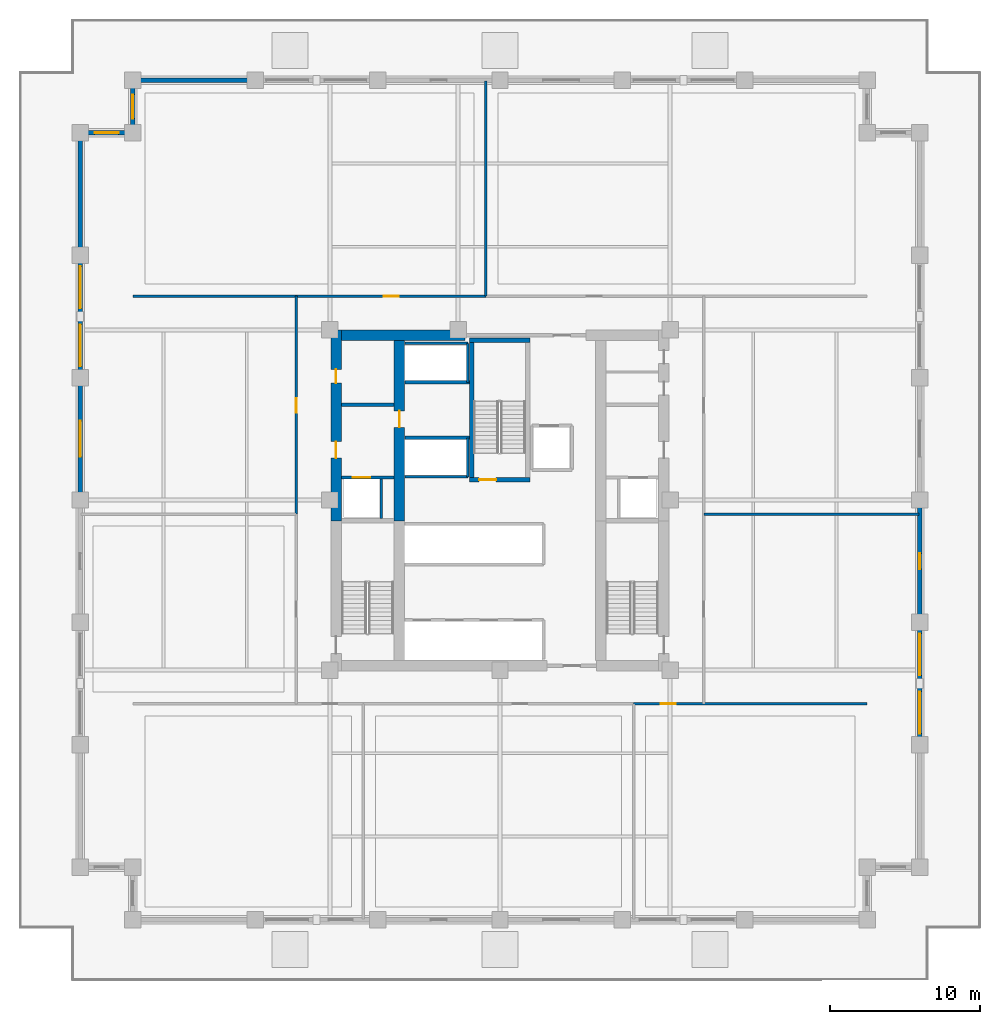
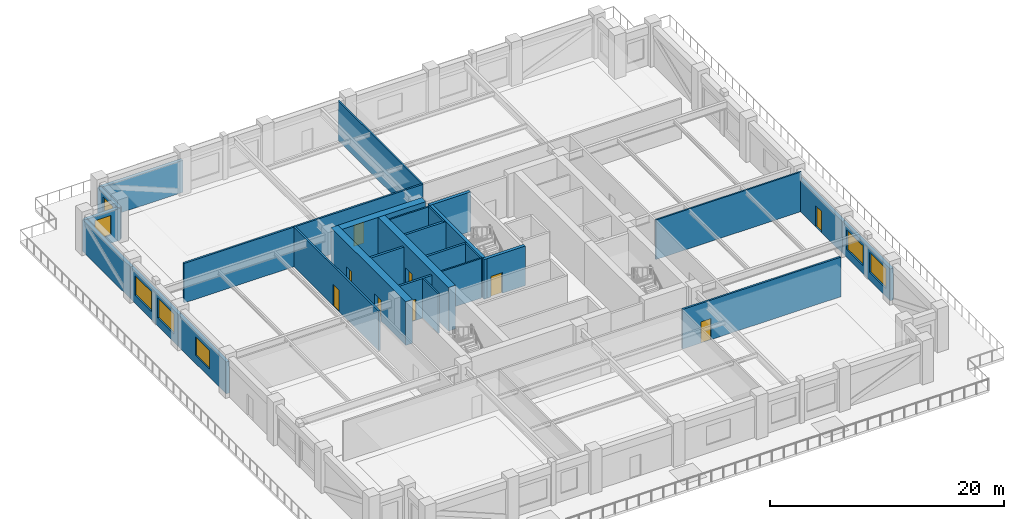
# One storey, part 4 of 13: 28 walls, 9 doors, 7 windows, 16 openings.
"""IFC4 building model written with IfcOpenShell, lengths in metres."""

from ifc_helpers import new_model, si_unit, direction, frame, frame_2d, origin, place, context, subcontext, project, spatial, rectangle, extrude, material, layer, layer_set, type_object, element, fill, save


model = new_model("IFC4")

# Units and contexts
model_context = context("Model", 3, precision=1e-05, world=origin(), true_north=direction((0.0, 1.0)))
body_context = subcontext(model_context, "Body", "Model", "MODEL_VIEW")
ifc_project = project(units=[si_unit("LENGTHUNIT", "METRE"), si_unit("AREAUNIT", "SQUARE_METRE"), si_unit("VOLUMEUNIT", "CUBIC_METRE"), si_unit("PLANEANGLEUNIT", "RADIAN"), si_unit("MASSUNIT", "GRAM", prefix="KILO")], contexts=[model_context])

# Site, building, storey
site_placement = place(None, origin())
site = spatial("IfcSite", under=ifc_project, at=site_placement, CompositionType="ELEMENT")
building_placement = place(site_placement, origin())
building = spatial("IfcBuilding", under=site, at=building_placement, Name="Nhamokura Convention Tower", CompositionType="ELEMENT")
storey_placement = place(building_placement, frame((0.0, 0.0, 34.300048828125)))
storey = spatial("IfcBuildingStorey", under=building, at=storey_placement, Name="L06", CompositionType="ELEMENT", Elevation=34.300048828125)

# Wall
ifc_material_1 = material(Name="Bronze-pigmented precast concrete C45/55", Category="concrete")
ifc_layer_1 = layer(ifc_material_1, 0.320068359375)
ifc_layer_set_1 = layer_set([ifc_layer_1], Name="BronzePrecastSpandrel_320")
wall_type_1 = type_object("IfcWallType", Name="BronzePrecastSpandrel_320", PredefinedType="USERDEFINED", material=ifc_layer_set_1)
wall_1_placement = place(storey_placement, frame((7.5, 60.0, 0.0), z_axis=(0.0, 0.0, 1.0), x_axis=(1.0, 0.0, 0.0)))
element("IfcWall", 1, at=wall_1_placement, inside=storey, type_object=wall_type_1, Name="L06 Braced-Bay Precast Wall NORTH 0", ObjectType="SPANDREL_WALL", PredefinedType="USERDEFINED", context=body_context, shape_type="SweptSolid", body=[
    extrude(rectangle(XDim=8.166748046875, YDim=0.320068359375, at=frame_2d((4.08349609375, 0.0))), origin(), (0.0, 0.0, 1.0), 3.329833984375),
])

# Wall, opening, window
wall_2_placement = place(storey_placement, frame((4.0, 32.0, 0.0), z_axis=(0.0, 0.0, 1.0), x_axis=(0.0, 1.0, 0.0)))
wall_2 = element("IfcWall", 2, at=wall_2_placement, inside=storey, type_object=wall_type_1, Name="L06 Masonry-Frame Wall WEST 3", ObjectType="SPANDREL_WALL", PredefinedType="USERDEFINED", context=body_context, shape_type="SweptSolid", body=[
    extrude(rectangle(XDim=8.166748046875, YDim=0.320068359375, at=frame_2d((4.08349609375, 0.0))), origin(), (0.0, 0.0, 1.0), 3.329833984375),
])
opening_1_placement = place(wall_2_placement, frame((2.88330078125, 0.0, 0.85009765625)))
opening_1 = element("IfcOpeningElement", 3, at=opening_1_placement, cuts=wall_2, Name="Opening W-03", PredefinedType="OPENING", context=body_context, shape_type="SweptSolid", body=[
    extrude(rectangle(XDim=2.39990234375, YDim=1.949951171875, at=frame_2d((1.199951171875, 0.97509765625))), frame((0.0, 0.169921875, 0.0), z_axis=(0.0, -1.0, 0.0), x_axis=(1.0, 0.0, 0.0)), (0.0, 0.0, 1.0), 0.340087890625),
])
ifc_material_2 = material(Name="Solar-control bronze low-E double glass", Category="glass")
window_type_1 = type_object("IfcWindowType", Name="HotelBayWindow_2400", PartitioningType="DOUBLE_PANEL_VERTICAL", PredefinedType="WINDOW", material=ifc_material_2)
window_1_placement = place(opening_1_placement, origin())
window_1 = element("IfcWindow", 4, at=window_1_placement, inside=storey, type_object=window_type_1, Name="L06 Facade Window WEST 3", OverallHeight=1.949951171875, OverallWidth=2.39990234375, PartitioningType="SINGLE_PANEL", PredefinedType="WINDOW", context=body_context, shape_type="SweptSolid", body=[
    extrude(rectangle(XDim=2.39990234375, YDim=1.949951171875, at=frame_2d((1.199951171875, 0.97509765625))), frame((0.0, 0.030029296875, 0.0), z_axis=(0.0, -1.0, 0.0), x_axis=(1.0, 0.0, 0.0)), (0.0, 0.0, 1.0), 0.06005859375),
])
fill(opening_1, window_1)

# Wall, openings, windows
wall_3_placement = place(storey_placement, frame((4.0, 40.166748046875, 0.0), z_axis=(0.0, 0.0, 1.0), x_axis=(0.0, 1.0, 0.0)))
wall_3 = element("IfcWall", 5, at=wall_3_placement, inside=storey, type_object=wall_type_1, Name="L06 Masonry-Frame Wall WEST 4", ObjectType="SPANDREL_WALL", PredefinedType="USERDEFINED", context=body_context, shape_type="SweptSolid", body=[
    extrude(rectangle(XDim=8.16650390625, YDim=0.320068359375, at=frame_2d((4.083251953125, 0.0))), origin(), (0.0, 0.0, 1.0), 3.329833984375),
])
opening_2_placement = place(wall_3_placement, frame((0.74169921875, 0.0, 0.85009765625)))
opening_2 = element("IfcOpeningElement", 6, at=opening_2_placement, cuts=wall_3, Name="Opening W-04", PredefinedType="OPENING", context=body_context, shape_type="SweptSolid", body=[
    extrude(rectangle(XDim=2.800048828125, YDim=2.050048828125, at=frame_2d((1.39990234375, 1.02490234375))), frame((0.0, 0.169921875, 0.0), z_axis=(0.0, -1.0, 0.0), x_axis=(1.0, 0.0, 0.0)), (0.0, 0.0, 1.0), 0.340087890625),
])
opening_3_placement = place(wall_3_placement, frame((4.625, 0.0, 0.85009765625)))
opening_3 = element("IfcOpeningElement", 7, at=opening_3_placement, cuts=wall_3, Name="Opening W-04", PredefinedType="OPENING", context=body_context, shape_type="SweptSolid", body=[
    extrude(rectangle(XDim=2.800048828125, YDim=2.050048828125, at=frame_2d((1.39990234375, 1.02490234375))), frame((0.0, 0.169921875, 0.0), z_axis=(0.0, -1.0, 0.0), x_axis=(1.0, 0.0, 0.0)), (0.0, 0.0, 1.0), 0.340087890625),
])
ifc_material_3 = material(Name="Solar-control bronze low-E double glass", Category="glass")
window_type_2 = type_object("IfcWindowType", Name="HotelSuiteWindow_2800", PartitioningType="DOUBLE_PANEL_VERTICAL", PredefinedType="WINDOW", material=ifc_material_3)
window_2_placement = place(opening_2_placement, origin())
window_2 = element("IfcWindow", 8, at=window_2_placement, inside=storey, type_object=window_type_2, Name="L06 Facade Window WEST 4-1", OverallHeight=2.050048828125, OverallWidth=2.800048828125, PartitioningType="SINGLE_PANEL", PredefinedType="WINDOW", context=body_context, shape_type="SweptSolid", body=[
    extrude(rectangle(XDim=2.800048828125, YDim=2.050048828125, at=frame_2d((1.39990234375, 1.02490234375))), frame((0.0, 0.030029296875, 0.0), z_axis=(0.0, -1.0, 0.0), x_axis=(1.0, 0.0, 0.0)), (0.0, 0.0, 1.0), 0.06005859375),
])
fill(opening_2, window_2)
window_3_placement = place(opening_3_placement, origin())
window_3 = element("IfcWindow", 9, at=window_3_placement, inside=storey, type_object=window_type_2, Name="L06 Facade Window WEST 4-2", OverallHeight=2.050048828125, OverallWidth=2.800048828125, PartitioningType="SINGLE_PANEL", PredefinedType="WINDOW", context=body_context, shape_type="SweptSolid", body=[
    extrude(rectangle(XDim=2.800048828125, YDim=2.050048828125, at=frame_2d((1.39990234375, 1.02490234375))), frame((0.0, 0.030029296875, 0.0), z_axis=(0.0, -1.0, 0.0), x_axis=(1.0, 0.0, 0.0)), (0.0, 0.0, 1.0), 0.06005859375),
])
fill(opening_3, window_3)

# Wall
wall_4_placement = place(storey_placement, frame((4.0, 48.333251953125, 0.0), z_axis=(0.0, 0.0, 1.0), x_axis=(0.0, 1.0, 0.0)))
element("IfcWall", 10, at=wall_4_placement, inside=storey, type_object=wall_type_1, Name="L06 Braced-Bay Precast Wall WEST 5", ObjectType="SPANDREL_WALL", PredefinedType="USERDEFINED", context=body_context, shape_type="SweptSolid", body=[
    extrude(rectangle(XDim=8.166748046875, YDim=0.320068359375, at=frame_2d((4.08349609375, 0.0))), origin(), (0.0, 0.0, 1.0), 3.329833984375),
])

# Wall, openings, windows
wall_5_placement = place(storey_placement, frame((60.0, 23.833251953125, 0.0), z_axis=(0.0, 0.0, 1.0), x_axis=(0.0, -1.0, 0.0)))
wall_5 = element("IfcWall", 11, at=wall_5_placement, inside=storey, type_object=wall_type_1, Name="L06 Masonry-Frame Wall EAST 1", ObjectType="SPANDREL_WALL", PredefinedType="USERDEFINED", context=body_context, shape_type="SweptSolid", body=[
    extrude(rectangle(XDim=8.16650390625, YDim=0.320068359375, at=frame_2d((4.083251953125, 0.0))), origin(), (0.0, 0.0, 1.0), 3.329833984375),
])
opening_4_placement = place(wall_5_placement, frame((0.74169921875, 0.0, 0.85009765625)))
opening_4 = element("IfcOpeningElement", 12, at=opening_4_placement, cuts=wall_5, Name="Opening W-04", PredefinedType="OPENING", context=body_context, shape_type="SweptSolid", body=[
    extrude(rectangle(XDim=2.800048828125, YDim=2.050048828125, at=frame_2d((1.39990234375, 1.02490234375))), frame((0.0, 0.169921875, 0.0), z_axis=(0.0, -1.0, 0.0), x_axis=(1.0, 0.0, 0.0)), (0.0, 0.0, 1.0), 0.340087890625),
])
opening_5_placement = place(wall_5_placement, frame((4.625, 0.0, 0.85009765625)))
opening_5 = element("IfcOpeningElement", 13, at=opening_5_placement, cuts=wall_5, Name="Opening W-04", PredefinedType="OPENING", context=body_context, shape_type="SweptSolid", body=[
    extrude(rectangle(XDim=2.800048828125, YDim=2.050048828125, at=frame_2d((1.39990234375, 1.02490234375))), frame((0.0, 0.169921875, 0.0), z_axis=(0.0, -1.0, 0.0), x_axis=(1.0, 0.0, 0.0)), (0.0, 0.0, 1.0), 0.340087890625),
])
window_4_placement = place(opening_4_placement, origin())
window_4 = element("IfcWindow", 14, at=window_4_placement, inside=storey, type_object=window_type_2, Name="L06 Facade Window EAST 1-1", OverallHeight=2.050048828125, OverallWidth=2.800048828125, PartitioningType="SINGLE_PANEL", PredefinedType="WINDOW", context=body_context, shape_type="SweptSolid", body=[
    extrude(rectangle(XDim=2.800048828125, YDim=2.050048828125, at=frame_2d((1.39990234375, 1.02490234375))), frame((0.0, 0.030029296875, 0.0), z_axis=(0.0, -1.0, 0.0), x_axis=(1.0, 0.0, 0.0)), (0.0, 0.0, 1.0), 0.06005859375),
])
fill(opening_4, window_4)
window_5_placement = place(opening_5_placement, origin())
window_5 = element("IfcWindow", 15, at=window_5_placement, inside=storey, type_object=window_type_2, Name="L06 Facade Window EAST 1-2", OverallHeight=2.050048828125, OverallWidth=2.800048828125, PartitioningType="SINGLE_PANEL", PredefinedType="WINDOW", context=body_context, shape_type="SweptSolid", body=[
    extrude(rectangle(XDim=2.800048828125, YDim=2.050048828125, at=frame_2d((1.39990234375, 1.02490234375))), frame((0.0, 0.030029296875, 0.0), z_axis=(0.0, -1.0, 0.0), x_axis=(1.0, 0.0, 0.0)), (0.0, 0.0, 1.0), 0.06005859375),
])
fill(opening_5, window_5)

# Wall, opening, door
wall_6_placement = place(storey_placement, frame((60.0, 32.0, 0.0), z_axis=(0.0, 0.0, 1.0), x_axis=(0.0, -1.0, 0.0)))
wall_6 = element("IfcWall", 16, at=wall_6_placement, inside=storey, type_object=wall_type_1, Name="L06 Masonry-Frame Wall EAST 2", ObjectType="SPANDREL_WALL", PredefinedType="USERDEFINED", context=body_context, shape_type="SweptSolid", body=[
    extrude(rectangle(XDim=8.166748046875, YDim=0.320068359375, at=frame_2d((4.08349609375, 0.0))), origin(), (0.0, 0.0, 1.0), 3.329833984375),
])
opening_6_placement = place(wall_6_placement, frame((3.558349609375, 0.0, 0.0)))
opening_6 = element("IfcOpeningElement", 17, at=opening_6_placement, cuts=wall_6, Name="Opening D-06", PredefinedType="OPENING", context=body_context, shape_type="SweptSolid", body=[
    extrude(rectangle(XDim=1.050048828125, YDim=2.199951171875, at=frame_2d((0.52490234375, 1.10009765625))), frame((0.0, 0.169921875, 0.0), z_axis=(0.0, -1.0, 0.0), x_axis=(1.0, 0.0, 0.0)), (0.0, 0.0, 1.0), 0.340087890625),
])
ifc_material_4 = material(Name="Anodised bronze aluminium AA6063-T6", Category="aluminium")
door_type_1 = type_object("IfcDoorType", Name="TerraceAccessDoor_1050", OperationType="NOTDEFINED", PredefinedType="DOOR", material=ifc_material_4)
door_1_placement = place(opening_6_placement, origin())
door_1 = element("IfcDoor", 18, at=door_1_placement, inside=storey, type_object=door_type_1, Name="L06 Setback Terrace Access Door EAST", OperationType="SINGLE_SWING_RIGHT", OverallHeight=2.199951171875, OverallWidth=1.050048828125, PredefinedType="DOOR", context=body_context, shape_type="SweptSolid", body=[
    extrude(rectangle(XDim=1.050048828125, YDim=2.199951171875, at=frame_2d((0.52490234375, 1.10009765625))), frame((0.0, 0.02490234375, 0.0), z_axis=(0.0, -1.0, 0.0), x_axis=(1.0, 0.0, 0.0)), (0.0, 0.0, 1.0), 0.050048828125),
])
fill(opening_6, door_1)

# Wall, opening, window
wall_7_placement = place(storey_placement, frame((7.5, 56.5, 0.0), z_axis=(0.0, 0.0, 1.0), x_axis=(0.0, 1.0, 0.0)))
wall_7 = element("IfcWall", 19, at=wall_7_placement, inside=storey, type_object=wall_type_1, Name="L06 Notched Corner Wall NW1", ObjectType="SPANDREL_WALL", PredefinedType="USERDEFINED", context=body_context, shape_type="SweptSolid", body=[
    extrude(rectangle(XDim=3.5, YDim=0.320068359375, at=frame_2d((1.75, 0.0))), origin(), (0.0, 0.0, 1.0), 3.329833984375),
])
opening_7_placement = place(wall_7_placement, frame((0.949951171875, 0.0, 0.85009765625)))
opening_7 = element("IfcOpeningElement", 20, at=opening_7_placement, cuts=wall_7, Name="Opening W-11", PredefinedType="OPENING", context=body_context, shape_type="SweptSolid", body=[
    extrude(rectangle(XDim=1.60009765625, YDim=2.050048828125, at=frame_2d((0.800048828125, 1.02490234375))), frame((0.0, 0.169921875, 0.0), z_axis=(0.0, -1.0, 0.0), x_axis=(1.0, 0.0, 0.0)), (0.0, 0.0, 1.0), 0.340087890625),
])
ifc_material_5 = material(Name="Solar-control bronze low-E double glass", Category="glass")
window_type_3 = type_object("IfcWindowType", Name="NotchCornerWindow_1600", PartitioningType="SINGLE_PANEL", PredefinedType="WINDOW", material=ifc_material_5)
window_6_placement = place(opening_7_placement, origin())
window_6 = element("IfcWindow", 21, at=window_6_placement, inside=storey, type_object=window_type_3, Name="L06 Notched Corner Window NW1", OverallHeight=2.050048828125, OverallWidth=1.60009765625, PartitioningType="SINGLE_PANEL", PredefinedType="WINDOW", context=body_context, shape_type="SweptSolid", body=[
    extrude(rectangle(XDim=1.60009765625, YDim=2.050048828125, at=frame_2d((0.800048828125, 1.02490234375))), frame((0.0, 0.030029296875, 0.0), z_axis=(0.0, -1.0, 0.0), x_axis=(1.0, 0.0, 0.0)), (0.0, 0.0, 1.0), 0.06005859375),
])
fill(opening_7, window_6)

wall_8_placement = place(storey_placement, frame((4.0, 56.5, 0.0), z_axis=(0.0, 0.0, 1.0), x_axis=(1.0, 0.0, 0.0)))
wall_8 = element("IfcWall", 22, at=wall_8_placement, inside=storey, type_object=wall_type_1, Name="L06 Notched Corner Wall NW2", ObjectType="SPANDREL_WALL", PredefinedType="USERDEFINED", context=body_context, shape_type="SweptSolid", body=[
    extrude(rectangle(XDim=3.5, YDim=0.320068359375, at=frame_2d((1.75, 0.0))), origin(), (0.0, 0.0, 1.0), 3.329833984375),
])
opening_8_placement = place(wall_8_placement, frame((0.949951171875, 0.0, 0.85009765625)))
opening_8 = element("IfcOpeningElement", 23, at=opening_8_placement, cuts=wall_8, Name="Opening W-11", PredefinedType="OPENING", context=body_context, shape_type="SweptSolid", body=[
    extrude(rectangle(XDim=1.60009765625, YDim=2.050048828125, at=frame_2d((0.800048828125, 1.02490234375))), frame((0.0, 0.169921875, 0.0), z_axis=(0.0, -1.0, 0.0), x_axis=(1.0, 0.0, 0.0)), (0.0, 0.0, 1.0), 0.340087890625),
])
window_7_placement = place(opening_8_placement, origin())
window_7 = element("IfcWindow", 24, at=window_7_placement, inside=storey, type_object=window_type_3, Name="L06 Notched Corner Window NW2", OverallHeight=2.050048828125, OverallWidth=1.60009765625, PartitioningType="SINGLE_PANEL", PredefinedType="WINDOW", context=body_context, shape_type="SweptSolid", body=[
    extrude(rectangle(XDim=1.60009765625, YDim=2.050048828125, at=frame_2d((0.800048828125, 1.02490234375))), frame((0.0, 0.030029296875, 0.0), z_axis=(0.0, -1.0, 0.0), x_axis=(1.0, 0.0, 0.0)), (0.0, 0.0, 1.0), 0.06005859375),
])
fill(opening_8, window_7)

# Wall, openings, doors
ifc_material_6 = material(Name="Concrete C70/85", Category="concrete")
ifc_layer_2 = layer(ifc_material_6, 0.699951171875)
ifc_layer_set_2 = layer_set([ifc_layer_2], Name="CoreShearWall_700")
wall_type_2 = type_object("IfcWallType", Name="CoreShearWall_700", PredefinedType="SHEAR", material=ifc_layer_set_2)
wall_9_placement = place(storey_placement, frame((21.06005859375, 30.60009765625, 0.0), z_axis=(0.0, 0.0, 1.0), x_axis=(0.0, 1.0, 0.0)))
wall_9 = element("IfcWall", 25, at=wall_9_placement, inside=storey, type_object=wall_type_2, Name="L06 Core Shear Wall CW-WN", PredefinedType="SHEAR", context=body_context, shape_type="SweptSolid", body=[
    extrude(rectangle(XDim=12.75, YDim=0.699951171875, at=frame_2d((6.375, 0.0))), origin(), (0.0, 0.0, 1.0), 4.550048828125),
])
opening_9_placement = place(wall_9_placement, frame((4.199951171875, 0.0, 0.0)))
opening_9 = element("IfcOpeningElement", 26, at=opening_9_placement, cuts=wall_9, Name="Opening D-05", PredefinedType="OPENING", context=body_context, shape_type="SweptSolid", body=[
    extrude(rectangle(XDim=1.10009765625, YDim=2.14990234375, at=frame_2d((0.550048828125, 1.074951171875))), frame((0.0, 0.35986328125, 0.0), z_axis=(0.0, -1.0, 0.0), x_axis=(1.0, 0.0, 0.0)), (0.0, 0.0, 1.0), 0.719970703125),
])
opening_10_placement = place(wall_9_placement, frame((9.199951171875, 0.0, 0.0)))
opening_10 = element("IfcOpeningElement", 27, at=opening_10_placement, cuts=wall_9, Name="Opening D-10", PredefinedType="OPENING", context=body_context, shape_type="SweptSolid", body=[
    extrude(rectangle(XDim=0.919921875, YDim=2.10009765625, at=frame_2d((0.4599609375, 1.050048828125))), frame((0.0, 0.35986328125, 0.0), z_axis=(0.0, -1.0, 0.0), x_axis=(1.0, 0.0, 0.0)), (0.0, 0.0, 1.0), 0.719970703125),
])
ifc_material_7 = material(Name="Solid oak hardwood", Category="wood")
door_type_2 = type_object("IfcDoorType", Name="AccessibleWCDoor_920", OperationType="NOTDEFINED", PredefinedType="DOOR", material=ifc_material_7)
door_2_placement = place(opening_10_placement, origin())
door_2 = element("IfcDoor", 28, at=door_2_placement, inside=storey, type_object=door_type_2, Name="L06 Core Door INT-L06-D-AWC", OperationType="SINGLE_SWING_LEFT", OverallHeight=2.10009765625, OverallWidth=0.919921875, PredefinedType="DOOR", context=body_context, shape_type="SweptSolid", body=[
    extrude(rectangle(XDim=0.919921875, YDim=2.10009765625, at=frame_2d((0.4599609375, 1.050048828125))), frame((0.0, 0.02490234375, 0.0), z_axis=(0.0, -1.0, 0.0), x_axis=(1.0, 0.0, 0.0)), (0.0, 0.0, 1.0), 0.050048828125),
])
fill(opening_10, door_2)
ifc_material_8 = material(Name="Fire-rated steel door", Category="steel")
door_type_3 = type_object("IfcDoorType", Name="FireLobbyDoor_1100", OperationType="NOTDEFINED", PredefinedType="DOOR", material=ifc_material_8)
door_3_placement = place(opening_9_placement, origin())
door_3 = element("IfcDoor", 29, at=door_3_placement, inside=storey, type_object=door_type_3, Name="L06 Core Door INT-L06-D-FFLW", OperationType="SINGLE_SWING_RIGHT", OverallHeight=2.14990234375, OverallWidth=1.10009765625, PredefinedType="DOOR", context=body_context, shape_type="SweptSolid", body=[
    extrude(rectangle(XDim=1.10009765625, YDim=2.14990234375, at=frame_2d((0.550048828125, 1.074951171875))), frame((0.0, 0.02490234375, 0.0), z_axis=(0.0, -1.0, 0.0), x_axis=(1.0, 0.0, 0.0)), (0.0, 0.0, 1.0), 0.050048828125),
])
fill(opening_9, door_3)

# Wall
wall_10_placement = place(storey_placement, frame((21.409912109375, 43.0, 0.0), z_axis=(0.0, 0.0, 1.0), x_axis=(1.0, 0.0, 0.0)))
element("IfcWall", 30, at=wall_10_placement, inside=storey, type_object=wall_type_2, Name="L06 Core Shear Wall CW-N1", PredefinedType="SHEAR", context=body_context, shape_type="SweptSolid", body=[
    extrude(rectangle(XDim=8.239990234375, YDim=0.699951171875, at=frame_2d((4.1201171875, 0.0))), origin(), (0.0, 0.0, 1.0), 4.550048828125),
])

# Wall, opening, door
wall_11_placement = place(storey_placement, frame((25.2900390625, 30.60009765625, 0.0), z_axis=(0.0, 0.0, 1.0), x_axis=(0.0, 1.0, 0.0)))
wall_11 = element("IfcWall", 31, at=wall_11_placement, inside=storey, type_object=wall_type_2, Name="L06 Core Shear Wall CW-IWN", PredefinedType="SHEAR", context=body_context, shape_type="SweptSolid", body=[
    extrude(rectangle(XDim=12.0498046875, YDim=0.699951171875, at=frame_2d((6.02490234375, 0.0))), origin(), (0.0, 0.0, 1.0), 4.550048828125),
])
opening_11_placement = place(wall_11_placement, frame((6.25, 0.0, 0.0)))
opening_11 = element("IfcOpeningElement", 32, at=opening_11_placement, cuts=wall_11, Name="Opening D-05", PredefinedType="OPENING", context=body_context, shape_type="SweptSolid", body=[
    extrude(rectangle(XDim=1.10009765625, YDim=2.14990234375, at=frame_2d((0.550048828125, 1.074951171875))), frame((0.0, 0.35986328125, 0.0), z_axis=(0.0, -1.0, 0.0), x_axis=(1.0, 0.0, 0.0)), (0.0, 0.0, 1.0), 0.719970703125),
])
door_4_placement = place(opening_11_placement, origin())
door_4 = element("IfcDoor", 33, at=door_4_placement, inside=storey, type_object=door_type_3, Name="L06 Core Door INT-L06-D-B3LOB", OperationType="SINGLE_SWING_LEFT", OverallHeight=2.14990234375, OverallWidth=1.10009765625, PredefinedType="DOOR", context=body_context, shape_type="SweptSolid", body=[
    extrude(rectangle(XDim=1.10009765625, YDim=2.14990234375, at=frame_2d((0.550048828125, 1.074951171875))), frame((0.0, 0.02490234375, 0.0), z_axis=(0.0, -1.0, 0.0), x_axis=(1.0, 0.0, 0.0)), (0.0, 0.0, 1.0), 0.050048828125),
])
fill(opening_11, door_4)

ifc_material_9 = material(Name="Fire-rated gypsum and masonry partition", Category="masonry")
ifc_layer_3 = layer(ifc_material_9, 0.179931640625)
ifc_layer_set_3 = layer_set([ifc_layer_3], Name="CorridorRatedWall_180")
wall_type_3 = type_object("IfcWallType", Name="CorridorRatedWall_180", PredefinedType="STANDARD", material=ifc_layer_set_3)
wall_12_placement = place(storey_placement, frame((40.916748046875, 18.39990234375, 0.0), z_axis=(0.0, 0.0, 1.0), x_axis=(1.0, 0.0, 0.0)))
wall_12 = element("IfcWall", 34, at=wall_12_placement, inside=storey, type_object=wall_type_3, Name="L06 Wall INT-L06-CW-S02", PredefinedType="STANDARD", context=body_context, shape_type="SweptSolid", body=[
    extrude(rectangle(XDim=15.583251953125, YDim=0.179931640625, at=frame_2d((7.79150390625, 0.0))), origin(), (0.0, 0.0, 1.0), 4.1298828125),
])
opening_12_placement = place(wall_12_placement, frame((1.816650390625, 0.0, 0.0)))
opening_12 = element("IfcOpeningElement", 35, at=opening_12_placement, cuts=wall_12, Name="Opening D-08", PredefinedType="OPENING", context=body_context, shape_type="SweptSolid", body=[
    extrude(rectangle(XDim=0.97998046875, YDim=2.199951171875, at=frame_2d((0.489990234375, 1.10009765625))), frame((0.0, 0.099853515625, 0.0), z_axis=(0.0, -1.0, 0.0), x_axis=(1.0, 0.0, 0.0)), (0.0, 0.0, 1.0), 0.199951171875),
])
ifc_material_10 = material(Name="Solid oak hardwood", Category="wood")
door_type_4 = type_object("IfcDoorType", Name="OfficeEntryDoor_980", OperationType="NOTDEFINED", PredefinedType="DOOR", material=ifc_material_10)
door_5_placement = place(opening_12_placement, origin())
door_5 = element("IfcDoor", 36, at=door_5_placement, inside=storey, type_object=door_type_4, Name="L06 Meeting Room S03 Door", OperationType="SINGLE_SWING_LEFT", OverallHeight=2.199951171875, OverallWidth=0.97998046875, PredefinedType="DOOR", context=body_context, shape_type="SweptSolid", body=[
    extrude(rectangle(XDim=0.97998046875, YDim=2.199951171875, at=frame_2d((0.489990234375, 1.10009765625))), frame((0.0, 0.02490234375, 0.0), z_axis=(0.0, -1.0, 0.0), x_axis=(1.0, 0.0, 0.0)), (0.0, 0.0, 1.0), 0.050048828125),
])
fill(opening_12, door_5)

wall_13_placement = place(storey_placement, frame((7.5, 45.60009765625, 0.0), z_axis=(0.0, 0.0, 1.0), x_axis=(1.0, 0.0, 0.0)))
wall_13 = element("IfcWall", 37, at=wall_13_placement, inside=storey, type_object=wall_type_3, Name="L06 Wall INT-L06-CW-N00", PredefinedType="STANDARD", context=body_context, shape_type="SweptSolid", body=[
    extrude(rectangle(XDim=23.550048828125, YDim=0.179931640625, at=frame_2d((11.77490234375, 0.0))), origin(), (0.0, 0.0, 1.0), 4.1298828125),
])
opening_13_placement = place(wall_13_placement, frame((16.75, 0.0, 0.0)))
opening_13 = element("IfcOpeningElement", 38, at=opening_13_placement, cuts=wall_13, Name="Opening D-08", PredefinedType="OPENING", context=body_context, shape_type="SweptSolid", body=[
    extrude(rectangle(XDim=0.97998046875, YDim=2.199951171875, at=frame_2d((0.489990234375, 1.10009765625))), frame((0.0, 0.099853515625, 0.0), z_axis=(0.0, -1.0, 0.0), x_axis=(1.0, 0.0, 0.0)), (0.0, 0.0, 1.0), 0.199951171875),
])
door_6_placement = place(opening_13_placement, origin())
door_6 = element("IfcDoor", 39, at=door_6_placement, inside=storey, type_object=door_type_4, Name="L06 Hotel Fitness Gym N01 Door", OperationType="SINGLE_SWING_LEFT", OverallHeight=2.199951171875, OverallWidth=0.97998046875, PredefinedType="DOOR", context=body_context, shape_type="SweptSolid", body=[
    extrude(rectangle(XDim=0.97998046875, YDim=2.199951171875, at=frame_2d((0.489990234375, 1.10009765625))), frame((0.0, 0.02490234375, 0.0), z_axis=(0.0, -1.0, 0.0), x_axis=(1.0, 0.0, 0.0)), (0.0, 0.0, 1.0), 0.050048828125),
])
fill(opening_13, door_6)

wall_14_placement = place(storey_placement, frame((18.39990234375, 31.050048828125, 0.0), z_axis=(0.0, 0.0, 1.0), x_axis=(0.0, 1.0, 0.0)))
wall_14 = element("IfcWall", 40, at=wall_14_placement, inside=storey, type_object=wall_type_3, Name="L06 Wall INT-L06-CW-W01", PredefinedType="STANDARD", context=body_context, shape_type="SweptSolid", body=[
    extrude(rectangle(XDim=14.550048828125, YDim=0.179931640625, at=frame_2d((7.27490234375, 0.0))), origin(), (0.0, 0.0, 1.0), 4.1298828125),
])
opening_14_placement = place(wall_14_placement, frame((6.77490234375, 0.0, 0.0)))
opening_14 = element("IfcOpeningElement", 41, at=opening_14_placement, cuts=wall_14, Name="Opening D-08", PredefinedType="OPENING", context=body_context, shape_type="SweptSolid", body=[
    extrude(rectangle(XDim=0.97998046875, YDim=2.199951171875, at=frame_2d((0.489990234375, 1.10009765625))), frame((0.0, 0.099853515625, 0.0), z_axis=(0.0, -1.0, 0.0), x_axis=(1.0, 0.0, 0.0)), (0.0, 0.0, 1.0), 0.199951171875),
])
door_7_placement = place(opening_14_placement, origin())
door_7 = element("IfcDoor", 42, at=door_7_placement, inside=storey, type_object=door_type_4, Name="L06 Boardroom W02 Door", OperationType="SINGLE_SWING_RIGHT", OverallHeight=2.199951171875, OverallWidth=0.97998046875, PredefinedType="DOOR", context=body_context, shape_type="SweptSolid", body=[
    extrude(rectangle(XDim=0.97998046875, YDim=2.199951171875, at=frame_2d((0.489990234375, 1.10009765625))), frame((0.0, 0.02490234375, 0.0), z_axis=(0.0, -1.0, 0.0), x_axis=(1.0, 0.0, 0.0)), (0.0, 0.0, 1.0), 0.050048828125),
])
fill(opening_14, door_7)

ifc_material_11 = material(Name="Autoclaved concrete blockwork", Category="masonry")
ifc_layer_4 = layer(ifc_material_11, 0.219970703125)
ifc_layer_set_4 = layer_set([ifc_layer_4], Name="FireLobbyWall_220")
wall_type_4 = type_object("IfcWallType", Name="FireLobbyWall_220", PredefinedType="STANDARD", material=ifc_layer_set_4)
wall_15_placement = place(storey_placement, frame((21.409912109375, 33.5, 0.0), z_axis=(0.0, 0.0, 1.0), x_axis=(1.0, 0.0, 0.0)))
wall_15 = element("IfcWall", 43, at=wall_15_placement, inside=storey, type_object=wall_type_4, Name="L06 Wall INT-L06-FFW-S", PredefinedType="STANDARD", context=body_context, shape_type="SweptSolid", body=[
    extrude(rectangle(XDim=3.530029296875, YDim=0.219970703125, at=frame_2d((1.76513671875, 0.0))), origin(), (0.0, 0.0, 1.0), 4.1298828125),
])
opening_15_placement = place(wall_15_placement, frame((0.75, 0.0, 0.0)))
opening_15 = element("IfcOpeningElement", 44, at=opening_15_placement, cuts=wall_15, Name="Opening LD-02", PredefinedType="OPENING", context=body_context, shape_type="SweptSolid", body=[
    extrude(rectangle(XDim=1.199951171875, YDim=2.199951171875, at=frame_2d((0.60009765625, 1.10009765625))), frame((0.0, 0.119873046875, 0.0), z_axis=(0.0, -1.0, 0.0), x_axis=(1.0, 0.0, 0.0)), (0.0, 0.0, 1.0), 0.239990234375),
])
ifc_material_12 = material(Name="Anodised bronze stainless steel", Category="steel")
door_type_5 = type_object("IfcDoorType", Name="LiftLandingDoor_FireService", OperationType="DOUBLE_DOOR_SLIDING", PredefinedType="DOOR", material=ifc_material_12)
door_8_placement = place(opening_15_placement, origin())
door_8 = element("IfcDoor", 45, at=door_8_placement, inside=storey, type_object=door_type_5, Name="L06 Firefighting Lift LF-01 Door", OperationType="DOUBLE_DOOR_SLIDING", OverallHeight=2.199951171875, OverallWidth=1.199951171875, PredefinedType="DOOR", context=body_context, shape_type="SweptSolid", body=[
    extrude(rectangle(XDim=1.199951171875, YDim=2.199951171875, at=frame_2d((0.60009765625, 1.10009765625))), frame((0.0, 0.02490234375, 0.0), z_axis=(0.0, -1.0, 0.0), x_axis=(1.0, 0.0, 0.0)), (0.0, 0.0, 1.0), 0.050048828125),
])
fill(opening_15, door_8)

# Walls
wall_16_placement = place(storey_placement, frame((21.409912109375, 38.35009765625, 0.0), z_axis=(0.0, 0.0, 1.0), x_axis=(1.0, 0.0, 0.0)))
element("IfcWall", 46, at=wall_16_placement, inside=storey, type_object=wall_type_4, Name="L06 Wall INT-L06-FFW-N", PredefinedType="STANDARD", context=body_context, shape_type="SweptSolid", body=[
    extrude(rectangle(XDim=3.530029296875, YDim=0.219970703125, at=frame_2d((1.76513671875, 0.0))), origin(), (0.0, 0.0, 1.0), 4.1298828125),
])
for number, where, z_axis, x_axis, name in (
    (47, (25.64990234375, 36.14990234375, 0.0), (0.0, 0.0, 1.0), (1.0, 0.0, 0.0), "L06 Wall INT-L06-B3S"),
    (48, (25.64990234375, 39.85009765625, 0.0), (0.0, 0.0, 1.0), (1.0, 0.0, 0.0), "L06 Wall INT-L06-B3N"),
):
    element("IfcWall", number, at=place(storey_placement, frame(where, z_axis=z_axis, x_axis=x_axis)), inside=storey, type_object=wall_type_4, Name=name, PredefinedType="STANDARD", context=body_context, shape_type="SweptSolid", body=[
        extrude(rectangle(XDim=4.300048828125, YDim=0.219970703125, at=frame_2d((2.14990234375, 0.0))), origin(), (0.0, 0.0, 1.0), 4.1298828125),
    ])
ifc_material_13 = material(Name="Acoustic gypsum stud partition", Category="masonry")
ifc_layer_5 = layer(ifc_material_13, 0.14990234375)
ifc_layer_set_5 = layer_set([ifc_layer_5], Name="InteriorPartition_150")
wall_type_5 = type_object("IfcWallType", Name="InteriorPartition_150", PredefinedType="STANDARD", material=ifc_layer_set_5)
wall_17_placement = place(storey_placement, frame((24.080078125, 30.75, 0.0), z_axis=(0.0, 0.0, 1.0), x_axis=(0.0, 1.0, 0.0)))
element("IfcWall", 49, at=wall_17_placement, inside=storey, type_object=wall_type_5, Name="L06 Wall INT-L06-FF1-E", PredefinedType="STANDARD", context=body_context, shape_type="SweptSolid", body=[
    extrude(rectangle(XDim=2.64990234375, YDim=0.14990234375, at=frame_2d((1.324951171875, 0.0))), origin(), (0.0, 0.0, 1.0), 4.1298828125),
])
wall_18_placement = place(storey_placement, frame((25.64990234375, 33.550048828125, 0.0), z_axis=(0.0, 0.0, 1.0), x_axis=(1.0, 0.0, 0.0)))
element("IfcWall", 50, at=wall_18_placement, inside=storey, type_object=wall_type_5, Name="L06 Wall INT-L06-B3A-S", PredefinedType="STANDARD", context=body_context, shape_type="SweptSolid", body=[
    extrude(rectangle(XDim=4.2001953125, YDim=0.14990234375, at=frame_2d((2.10009765625, 0.0))), origin(), (0.0, 0.0, 1.0), 4.1298828125),
])
wall_19_placement = place(storey_placement, frame((29.85009765625, 33.550048828125, 0.0), z_axis=(0.0, 0.0, 1.0), x_axis=(0.0, 1.0, 0.0)))
element("IfcWall", 51, at=wall_19_placement, inside=storey, type_object=wall_type_5, Name="L06 Wall INT-L06-B3A-E", PredefinedType="STANDARD", context=body_context, shape_type="SweptSolid", body=[
    extrude(rectangle(XDim=2.599853515625, YDim=0.14990234375, at=frame_2d((1.2998046875, 0.0))), origin(), (0.0, 0.0, 1.0), 4.1298828125),
])
wall_20_placement = place(storey_placement, frame((25.64990234375, 42.449951171875, 0.0), z_axis=(0.0, 0.0, 1.0), x_axis=(1.0, 0.0, 0.0)))
element("IfcWall", 52, at=wall_20_placement, inside=storey, type_object=wall_type_5, Name="L06 Wall INT-L06-B3B-N", PredefinedType="STANDARD", context=body_context, shape_type="SweptSolid", body=[
    extrude(rectangle(XDim=4.2001953125, YDim=0.14990234375, at=frame_2d((2.10009765625, 0.0))), origin(), (0.0, 0.0, 1.0), 4.1298828125),
])
wall_21_placement = place(storey_placement, frame((29.85009765625, 39.85009765625, 0.0), z_axis=(0.0, 0.0, 1.0), x_axis=(0.0, 1.0, 0.0)))
element("IfcWall", 53, at=wall_21_placement, inside=storey, type_object=wall_type_5, Name="L06 Wall INT-L06-B3B-E", PredefinedType="STANDARD", context=body_context, shape_type="SweptSolid", body=[
    extrude(rectangle(XDim=2.599853515625, YDim=0.14990234375, at=frame_2d((1.2998046875, 0.0))), origin(), (0.0, 0.0, 1.0), 4.1298828125),
])
for number, where, z_axis, x_axis, name in (
    (54, (31.050048828125, 45.60009765625, 0.0), (0.0, 0.0, 1.0), (0.0, 1.0, 0.0), "L06 Wall INT-L06-RW-N01"),
    (55, (45.60009765625, 31.050048828125, 0.0), (0.0, 0.0, 1.0), (1.0, 0.0, 0.0), "L06 Wall INT-L06-RW-E01"),
):
    element("IfcWall", number, at=place(storey_placement, frame(where, z_axis=z_axis, x_axis=x_axis)), inside=storey, type_object=wall_type_5, Name=name, PredefinedType="STANDARD", context=body_context, shape_type="SweptSolid", body=[
        extrude(rectangle(XDim=14.33984375, YDim=0.14990234375, at=frame_2d((7.169921875, 0.0))), origin(), (0.0, 0.0, 1.0), 4.1298828125),
    ])
ifc_material_14 = material(Name="Concrete C50/60", Category="concrete")
ifc_layer_6 = layer(ifc_material_14, 0.300048828125)
ifc_layer_set_6 = layer_set([ifc_layer_6], Name="ShaftEnclosureWall_300")
wall_type_6 = type_object("IfcWallType", Name="ShaftEnclosureWall_300", PredefinedType="SHEAR", material=ifc_layer_set_6)
wall_22_placement = place(storey_placement, frame((30.10009765625, 33.199951171875, 0.0), z_axis=(0.0, 0.0, 1.0), x_axis=(0.0, 1.0, 0.0)))
element("IfcWall", 56, at=wall_22_placement, inside=storey, type_object=wall_type_6, Name="L06 Wall INT-L06-ST03W", PredefinedType="SHEAR", context=body_context, shape_type="SweptSolid", body=[
    extrude(rectangle(XDim=9.60009765625, YDim=0.300048828125, at=frame_2d((4.800048828125, 0.0))), origin(), (0.0, 0.0, 1.0), 4.1298828125),
])

# Wall, opening, door
wall_23_placement = place(storey_placement, frame((29.949951171875, 33.35009765625, 0.0), z_axis=(0.0, 0.0, 1.0), x_axis=(1.0, 0.0, 0.0)))
wall_23 = element("IfcWall", 57, at=wall_23_placement, inside=storey, type_object=wall_type_6, Name="L06 Wall INT-L06-ST03S", PredefinedType="SHEAR", context=body_context, shape_type="SweptSolid", body=[
    extrude(rectangle(XDim=4.050048828125, YDim=0.300048828125, at=frame_2d((2.02490234375, 0.0))), origin(), (0.0, 0.0, 1.0), 4.1298828125),
])
opening_16_placement = place(wall_23_placement, frame((0.64990234375, 0.0, 0.0)))
opening_16 = element("IfcOpeningElement", 58, at=opening_16_placement, cuts=wall_23, Name="Opening D-04", PredefinedType="OPENING", context=body_context, shape_type="SweptSolid", body=[
    extrude(rectangle(XDim=1.14990234375, YDim=2.14990234375, at=frame_2d((0.574951171875, 1.074951171875))), frame((0.0, 0.159912109375, 0.0), z_axis=(0.0, -1.0, 0.0), x_axis=(1.0, 0.0, 0.0)), (0.0, 0.0, 1.0), 0.320068359375),
])
ifc_material_15 = material(Name="Fire-rated steel door", Category="steel")
door_type_6 = type_object("IfcDoorType", Name="StairSmokeDoor_1150", OperationType="NOTDEFINED", PredefinedType="DOOR", material=ifc_material_15)
door_9_placement = place(opening_16_placement, origin())
door_9 = element("IfcDoor", 59, at=door_9_placement, inside=storey, type_object=door_type_6, Name="L06 Stair ST-03 Smoke Door", OperationType="SINGLE_SWING_LEFT", OverallHeight=2.14990234375, OverallWidth=1.14990234375, PredefinedType="DOOR", context=body_context, shape_type="SweptSolid", body=[
    extrude(rectangle(XDim=1.14990234375, YDim=2.14990234375, at=frame_2d((0.574951171875, 1.074951171875))), frame((0.0, 0.02490234375, 0.0), z_axis=(0.0, -1.0, 0.0), x_axis=(1.0, 0.0, 0.0)), (0.0, 0.0, 1.0), 0.050048828125),
])
fill(opening_16, door_9)

# Wall
wall_24_placement = place(storey_placement, frame((29.949951171875, 42.64990234375, 0.0), z_axis=(0.0, 0.0, 1.0), x_axis=(1.0, 0.0, 0.0)))
element("IfcWall", 60, at=wall_24_placement, inside=storey, type_object=wall_type_6, Name="L06 Wall INT-L06-ST03N", PredefinedType="SHEAR", context=body_context, shape_type="SweptSolid", body=[
    extrude(rectangle(XDim=4.050048828125, YDim=0.300048828125, at=frame_2d((2.02490234375, 0.0))), origin(), (0.0, 0.0, 1.0), 4.1298828125),
])

save(model, "model.ifc")
